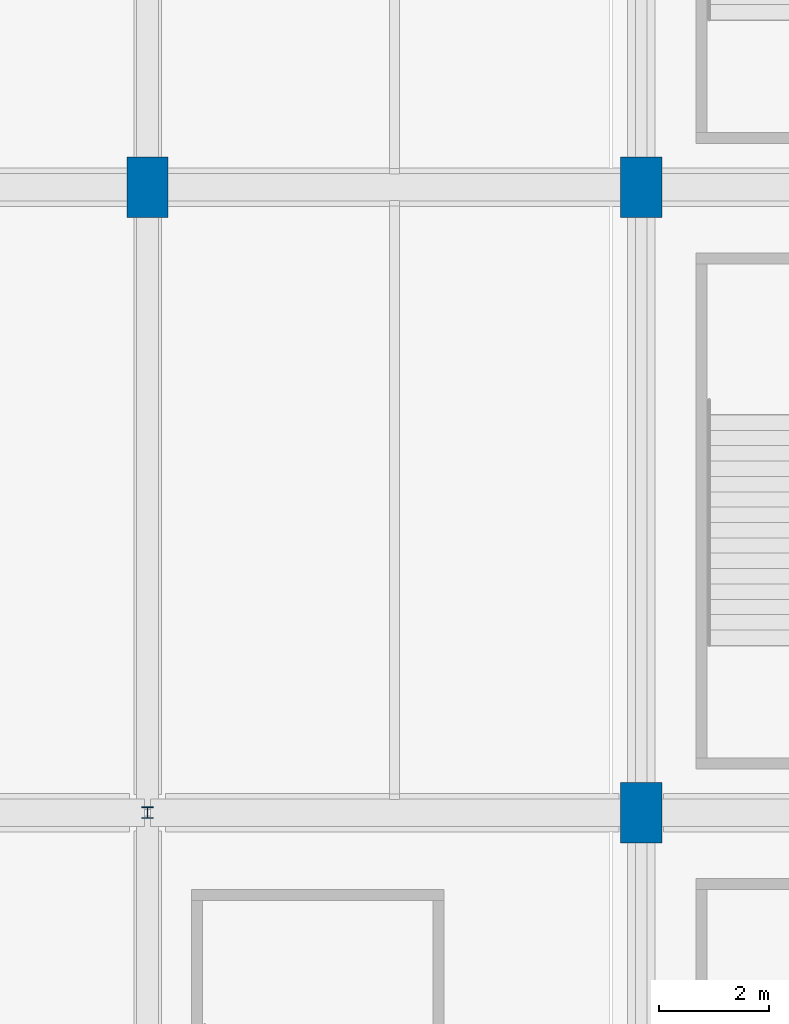
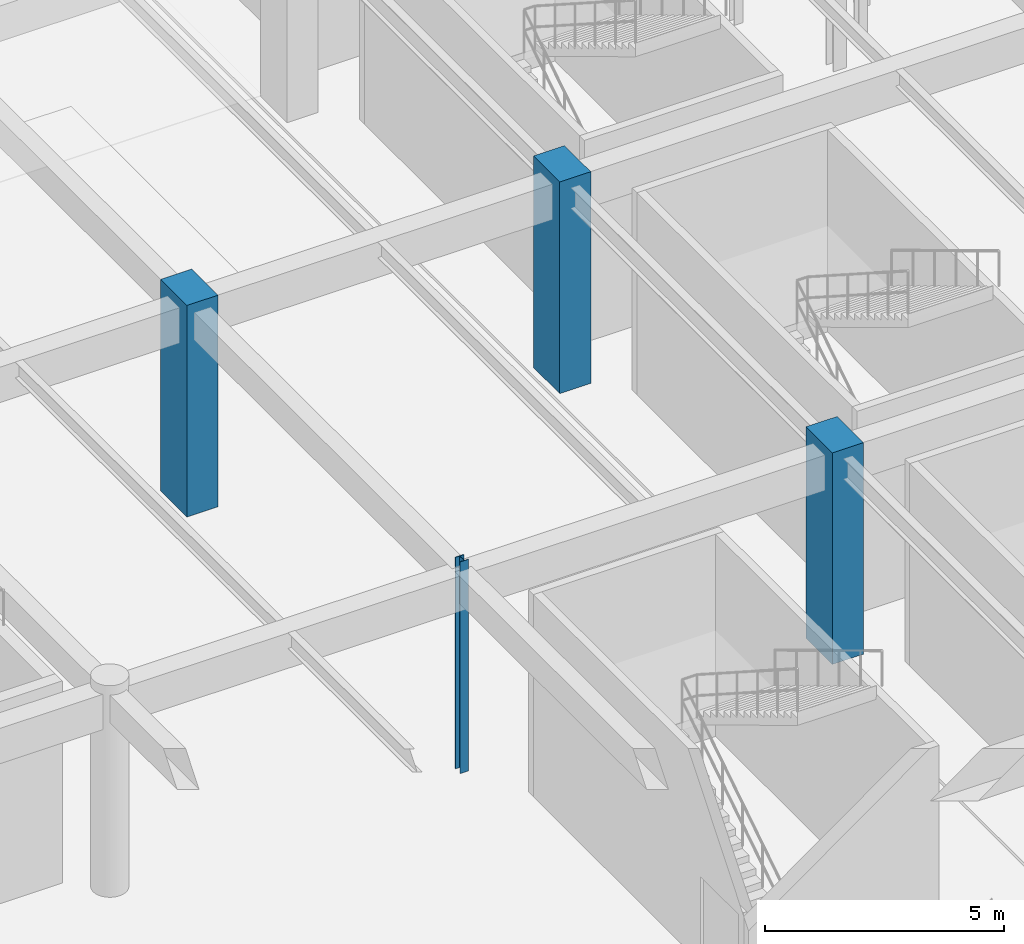
# One storey, part 10 of 113: 4 columns.
"""IFC4 building model written with IfcOpenShell, lengths in metres."""

from ifc_helpers import new_model, si_unit, direction, frame, origin, origin_2d, place, context, subcontext, project, spatial, rectangle, i_section, extrude, material, material_profile, profile_set, type_object, element, save


model = new_model("IFC4")

# Units and contexts
model_context = context("Model", 3, precision=1e-05, world=origin(), true_north=direction((0.0, 1.0)))
body_context = subcontext(model_context, "Body", "Model", "MODEL_VIEW")
ifc_project = project(units=[si_unit("LENGTHUNIT", "METRE"), si_unit("AREAUNIT", "SQUARE_METRE"), si_unit("VOLUMEUNIT", "CUBIC_METRE"), si_unit("PLANEANGLEUNIT", "RADIAN"), si_unit("MASSUNIT", "GRAM", prefix="KILO"), si_unit("POWERUNIT", "WATT"), si_unit("THERMODYNAMICTEMPERATUREUNIT", "KELVIN")], contexts=[model_context])

# Site, building, storey
site_placement = place(None, origin())
site = spatial("IfcSite", under=ifc_project, at=site_placement, CompositionType="ELEMENT")
building_placement = place(site_placement, origin())
building = spatial("IfcBuilding", under=site, at=building_placement, Name="Kelmbourne Parkland Aquatics Centre", CompositionType="ELEMENT")
storey_placement = place(building_placement, origin())
storey = spatial("IfcBuildingStorey", under=building, at=storey_placement, Name="L00", CompositionType="ELEMENT", Elevation=0.0)

# Columns
ifc_material_1 = material(Name="Concrete C40/50", Category="concrete")
ifc_material_profile_1 = material_profile(ifc_material_1, rectangle(XDim=0.75, YDim=1.10009765625, at=origin_2d()), Name="RC 750x1100")
ifc_profile_set_1 = profile_set([ifc_material_profile_1], Name="Concrete C40/50")
column_type_1 = type_object("IfcColumnType", Name="COL-C03", PredefinedType="COLUMN", material=ifc_profile_set_1)
for number, where, z_axis, x_axis, name in (
    (1, (119.0, 46.39990234375, 0.0), (0.0, 0.0, 1.0), (1.0, 0.0, 0.0), "Structural column O-06 (L00)"),
    (2, (128.0, 35.0, 0.0), (0.0, 0.0, 1.0), (1.0, 0.0, 0.0), "Structural column P-05 (L00)"),
    (3, (128.0, 46.39990234375, 0.0), (0.0, 0.0, 1.0), (1.0, 0.0, 0.0), "Structural column P-06 (L00)"),
):
    element("IfcColumn", number, at=place(storey_placement, frame(where, z_axis=z_axis, x_axis=x_axis)), inside=storey, type_object=column_type_1, Name=name, PredefinedType="COLUMN", context=body_context, shape_type="SweptSolid", body=[
        extrude(rectangle(XDim=0.75, YDim=1.10009765625, at=origin_2d()), origin(), (0.0, 0.0, 1.0), 5.39990234375),
    ])
ifc_material_2 = material(Name="Structural steel AS/NZS 3679.1 Grade 300", Category="steel")
ifc_material_profile_2 = material_profile(ifc_material_2, i_section(OverallWidth=0.205078125, OverallDepth=0.2099609375, WebThickness=0.00927734375, FlangeThickness=0.01416015625, at=origin_2d()), Name="200UC59.5")
ifc_profile_set_2 = profile_set([ifc_material_profile_2], Name="Structural steel AS/NZS 3679.1 Grade 300")
column_type_2 = type_object("IfcColumnType", Name="COL-C19", PredefinedType="COLUMN", material=ifc_profile_set_2)
column_placement = place(storey_placement, frame((119.0, 35.0, 0.0), z_axis=(0.0, 0.0, 1.0), x_axis=(1.0, 0.0, 0.0)))
element("IfcColumn", 4, at=column_placement, inside=storey, type_object=column_type_2, Name="Structural column O-05 (L00)", PredefinedType="COLUMN", context=body_context, shape_type="SweptSolid", body=[
    extrude(i_section(OverallWidth=0.205078125, OverallDepth=0.2099609375, WebThickness=0.00927734375, FlangeThickness=0.01416015625, at=origin_2d()), origin(), (0.0, 0.0, 1.0), 5.39990234375),
])

save(model, "model.ifc")
